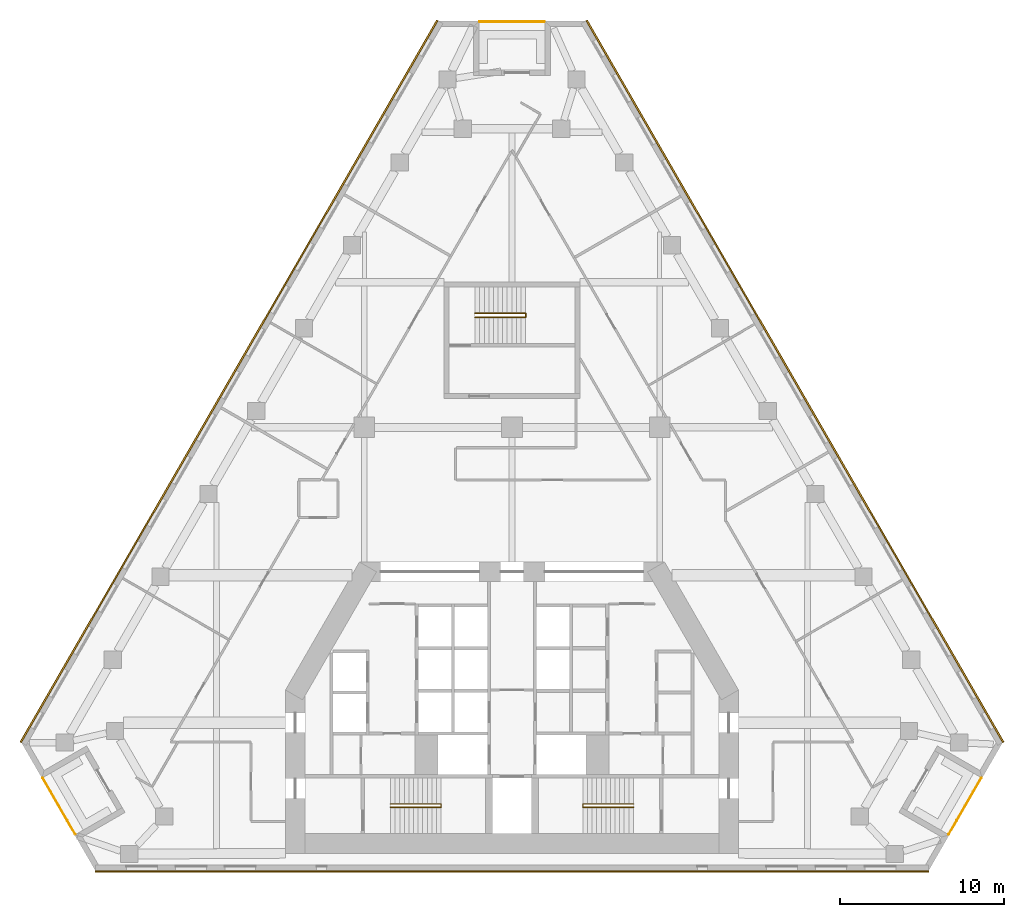
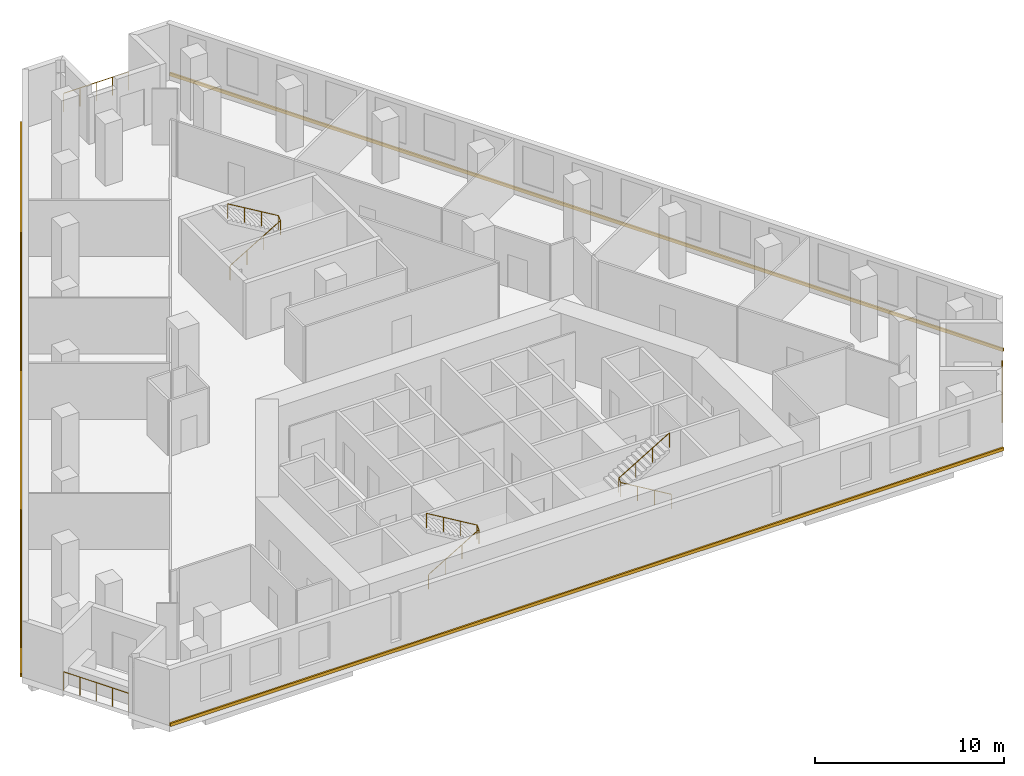
# One storey, part 10 of 10: 6 railings, 3 coverings.
"""IFC4 building model written with IfcOpenShell, lengths in metres."""

from ifc_helpers import new_model, si_unit, direction, frame, origin, origin_2d, place, context, subcontext, project, spatial, polyline, circle, outline, extrude, material, type_object, element, save


model = new_model("IFC4")

# Units and contexts
model_context = context("Model", 3, precision=1e-05, world=origin(), true_north=direction((0.0, 1.0)))
body_context = subcontext(model_context, "Body", "Model", "MODEL_VIEW")
ifc_project = project(units=[si_unit("LENGTHUNIT", "METRE"), si_unit("AREAUNIT", "SQUARE_METRE"), si_unit("VOLUMEUNIT", "CUBIC_METRE"), si_unit("PLANEANGLEUNIT", "RADIAN"), si_unit("MASSUNIT", "GRAM", prefix="KILO")], contexts=[model_context])

# Site, building, storey
site_placement = place(None, origin())
site = spatial("IfcSite", under=ifc_project, at=site_placement, CompositionType="ELEMENT")
building_placement = place(site_placement, origin())
building = spatial("IfcBuilding", under=site, at=building_placement, Name="Fogline Exchange Tower", CompositionType="ELEMENT")
storey_placement = place(building_placement, frame((0.0, 0.0, 124.10009765625)))
storey = spatial("IfcBuildingStorey", under=building, at=storey_placement, Name="L27", CompositionType="ELEMENT", Elevation=124.10009765625)

# Railings
ifc_material_1 = material(Name="Stainless steel 304", Category="steel")
railing_type_1 = type_object("IfcRailingType", Name="G1", PredefinedType="GUARDRAIL", material=ifc_material_1)
railing_1_placement = place(storey_placement, frame((-28.589599609375, 5.635986328125, 0.0)))
element("IfcRailing", 1, at=railing_1_placement, inside=storey, type_object=railing_type_1, Name="Balcony guard L27 SW", PredefinedType="GUARDRAIL", context=body_context, shape_type="SweptSolid", body=[
    extrude(circle(Radius=0.02392578125, at=origin_2d()), frame((0.0, 0.0, 1.17578125), z_axis=(0.500000102728, -0.866025344474, 0.0), x_axis=(0.866025344474, 0.500000102728, 0.0)), (0.0, 0.0, 1.0), 3.9580078125),
    extrude(circle(Radius=0.02099609375, at=origin_2d()), origin(), (0.0, 0.0, 1.0), 1.15185546875),
    extrude(circle(Radius=0.02099609375, at=origin_2d()), frame((0.49462890625, -0.85693359375, 0.0)), (0.0, 0.0, 1.0), 1.15185546875),
    extrude(circle(Radius=0.02099609375, at=origin_2d()), frame((0.989501953125, -1.7138671875, 0.0)), (0.0, 0.0, 1.0), 1.15185546875),
    extrude(circle(Radius=0.02099609375, at=origin_2d()), frame((1.484375, -2.57080078125, 0.0)), (0.0, 0.0, 1.0), 1.15185546875),
    extrude(circle(Radius=0.02099609375, at=origin_2d()), frame((1.97900390625, -3.427734375, 0.0)), (0.0, 0.0, 1.0), 1.15185546875),
])
railing_2_placement = place(storey_placement, frame((26.610595703125, 2.208251953125, 0.0)))
element("IfcRailing", 2, at=railing_2_placement, inside=storey, type_object=railing_type_1, Name="Balcony guard L27 SE", PredefinedType="GUARDRAIL", context=body_context, shape_type="SweptSolid", body=[
    extrude(circle(Radius=0.02392578125, at=origin_2d()), frame((0.0, 0.0, 1.17578125), z_axis=(0.500000102728, 0.866025344474, 0.0), x_axis=(-0.866025344474, 0.500000102728, 0.0)), (0.0, 0.0, 1.0), 3.9580078125),
    extrude(circle(Radius=0.02099609375, at=origin_2d()), origin(), (0.0, 0.0, 1.0), 1.15185546875),
    extrude(circle(Radius=0.02099609375, at=origin_2d()), frame((0.49462890625, 0.85693359375, 0.0)), (0.0, 0.0, 1.0), 1.15185546875),
    extrude(circle(Radius=0.02099609375, at=origin_2d()), frame((0.989501953125, 1.7138671875, 0.0)), (0.0, 0.0, 1.0), 1.15185546875),
    extrude(circle(Radius=0.02099609375, at=origin_2d()), frame((1.484375, 2.57080078125, 0.0)), (0.0, 0.0, 1.0), 1.15185546875),
    extrude(circle(Radius=0.02099609375, at=origin_2d()), frame((1.97900390625, 3.427734375, 0.0)), (0.0, 0.0, 1.0), 1.15185546875),
])
railing_3_placement = place(storey_placement, frame((1.97900390625, 51.726806640625, 0.0)))
element("IfcRailing", 3, at=railing_3_placement, inside=storey, type_object=railing_type_1, Name="Balcony guard L27 N", PredefinedType="GUARDRAIL", context=body_context, shape_type="SweptSolid", body=[
    extrude(circle(Radius=0.02392578125, at=origin_2d()), frame((0.0, 0.0, 1.17578125), z_axis=(-1.0, 0.0, 0.0), x_axis=(0.0, -1.0, 0.0)), (0.0, 0.0, 1.0), 3.9580078125),
    extrude(circle(Radius=0.02099609375, at=origin_2d()), origin(), (0.0, 0.0, 1.0), 1.15185546875),
    extrude(circle(Radius=0.02099609375, at=origin_2d()), frame((-0.989501953125, 0.0, 0.0)), (0.0, 0.0, 1.0), 1.15185546875),
    extrude(circle(Radius=0.02099609375, at=origin_2d()), frame((-1.97900390625, 0.0, 0.0)), (0.0, 0.0, 1.0), 1.15185546875),
    extrude(circle(Radius=0.02099609375, at=origin_2d()), frame((-2.968505859375, 0.0, 0.0)), (0.0, 0.0, 1.0), 1.15185546875),
    extrude(circle(Radius=0.02099609375, at=origin_2d()), frame((-3.9580078125, 0.0, 0.0)), (0.0, 0.0, 1.0), 1.15185546875),
])
ifc_material_2 = material(Name="Steel Q235B", Category="steel")
railing_type_2 = type_object("IfcRailingType", Name="RL-HR", PredefinedType="HANDRAIL", material=ifc_material_2)
railing_4_placement = place(storey_placement, frame((-7.39990234375, 3.85009765625, 0.16650390625)))
element("IfcRailing", 4, at=railing_4_placement, inside=storey, type_object=railing_type_2, Name="Handrail ST1", PredefinedType="HANDRAIL", context=body_context, shape_type="SweptSolid", body=[
    extrude(circle(Radius=0.02392578125, at=origin_2d()), frame((0.0, 0.0, 0.92578125), z_axis=(0.859260807169, 0.0, 0.511537745687), x_axis=(0.0, 1.0, 0.0)), (0.0, 0.0, 1.0), 3.584228515625),
    extrude(circle(Radius=0.02392578125, at=origin_2d()), frame((3.079833984375, 0.0, 2.75927734375), z_axis=(0.0, 0.768451954486, 0.639907488351), x_axis=(-1.0, 0.0, 0.0)), (0.0, 0.0, 1.0), 0.26025390625),
    extrude(circle(Radius=0.02392578125, at=origin_2d()), frame((3.079833984375, 0.199951171875, 2.92578125), z_axis=(-0.859260807169, 0.0, 0.511537745687), x_axis=(0.0, -1.0, 0.0)), (0.0, 0.0, 1.0), 3.584228515625),
    extrude(circle(Radius=0.02099609375, at=origin_2d()), origin(), (0.0, 0.0, 1.0), 0.90185546875),
    extrude(circle(Radius=0.02099609375, at=origin_2d()), frame((1.026611328125, 0.0, 0.611083984375)), (0.0, 0.0, 1.0), 0.90185546875),
    extrude(circle(Radius=0.02099609375, at=origin_2d()), frame((2.05322265625, 0.0, 1.222412109375)), (0.0, 0.0, 1.0), 0.90185546875),
    extrude(circle(Radius=0.02099609375, at=origin_2d()), frame((3.079833984375, 0.0, 1.83349609375)), (0.0, 0.0, 1.0), 0.90185546875),
    extrude(circle(Radius=0.02099609375, at=origin_2d()), frame((3.079833984375, 0.199951171875, 2.0)), (0.0, 0.0, 1.0), 0.90185546875),
    extrude(circle(Radius=0.02099609375, at=origin_2d()), frame((2.05322265625, 0.199951171875, 2.611083984375)), (0.0, 0.0, 1.0), 0.90185546875),
    extrude(circle(Radius=0.02099609375, at=origin_2d()), frame((1.026611328125, 0.199951171875, 3.222412109375)), (0.0, 0.0, 1.0), 0.90185546875),
    extrude(circle(Radius=0.02099609375, at=origin_2d()), frame((0.0, 0.199951171875, 3.83349609375)), (0.0, 0.0, 1.0), 0.90185546875),
])
railing_5_placement = place(storey_placement, frame((7.39990234375, 3.85009765625, 0.16650390625)))
element("IfcRailing", 5, at=railing_5_placement, inside=storey, type_object=railing_type_2, Name="Handrail ST2", PredefinedType="HANDRAIL", context=body_context, shape_type="SweptSolid", body=[
    extrude(circle(Radius=0.02392578125, at=origin_2d()), frame((0.0, 0.0, 0.92578125), z_axis=(-0.859260807169, 0.0, 0.511537745687), x_axis=(0.0, -1.0, 0.0)), (0.0, 0.0, 1.0), 3.584228515625),
    extrude(circle(Radius=0.02392578125, at=origin_2d()), frame((-3.079833984375, 0.0, 2.75927734375), z_axis=(0.0, 0.768451954486, 0.639907488351), x_axis=(-1.0, 0.0, 0.0)), (0.0, 0.0, 1.0), 0.26025390625),
    extrude(circle(Radius=0.02392578125, at=origin_2d()), frame((-3.079833984375, 0.199951171875, 2.92578125), z_axis=(0.859260807169, 0.0, 0.511537745687), x_axis=(0.0, 1.0, 0.0)), (0.0, 0.0, 1.0), 3.584228515625),
    extrude(circle(Radius=0.02099609375, at=origin_2d()), origin(), (0.0, 0.0, 1.0), 0.90185546875),
    extrude(circle(Radius=0.02099609375, at=origin_2d()), frame((-1.026611328125, 0.0, 0.611083984375)), (0.0, 0.0, 1.0), 0.90185546875),
    extrude(circle(Radius=0.02099609375, at=origin_2d()), frame((-2.05322265625, 0.0, 1.222412109375)), (0.0, 0.0, 1.0), 0.90185546875),
    extrude(circle(Radius=0.02099609375, at=origin_2d()), frame((-3.079833984375, 0.0, 1.83349609375)), (0.0, 0.0, 1.0), 0.90185546875),
    extrude(circle(Radius=0.02099609375, at=origin_2d()), frame((-3.079833984375, 0.199951171875, 2.0)), (0.0, 0.0, 1.0), 0.90185546875),
    extrude(circle(Radius=0.02099609375, at=origin_2d()), frame((-2.05322265625, 0.199951171875, 2.611083984375)), (0.0, 0.0, 1.0), 0.90185546875),
    extrude(circle(Radius=0.02099609375, at=origin_2d()), frame((-1.026611328125, 0.199951171875, 3.222412109375)), (0.0, 0.0, 1.0), 0.90185546875),
    extrude(circle(Radius=0.02099609375, at=origin_2d()), frame((0.0, 0.199951171875, 3.83349609375)), (0.0, 0.0, 1.0), 0.90185546875),
])
railing_6_placement = place(storey_placement, frame((-2.25, 33.70703125, 0.16650390625)))
element("IfcRailing", 6, at=railing_6_placement, inside=storey, type_object=railing_type_2, Name="Handrail ST3", PredefinedType="HANDRAIL", context=body_context, shape_type="SweptSolid", body=[
    extrude(circle(Radius=0.02392578125, at=origin_2d()), frame((0.0, 0.0, 0.92578125), z_axis=(0.85927862911, 0.0, 0.511507807912), x_axis=(0.0, 1.0, 0.0)), (0.0, 0.0, 1.0), 3.58447265625),
    extrude(circle(Radius=0.02392578125, at=origin_2d()), frame((3.080078125, 0.0, 2.75927734375), z_axis=(0.0, 0.832300300006, 0.554325004496), x_axis=(-1.0, 0.0, 0.0)), (0.0, 0.0, 1.0), 0.30029296875),
    extrude(circle(Radius=0.02392578125, at=origin_2d()), frame((3.080078125, 0.25, 2.92578125), z_axis=(-0.85927862911, 0.0, 0.511507807912), x_axis=(0.0, -1.0, 0.0)), (0.0, 0.0, 1.0), 3.58447265625),
    extrude(circle(Radius=0.02099609375, at=origin_2d()), origin(), (0.0, 0.0, 1.0), 0.90185546875),
    extrude(circle(Radius=0.02099609375, at=origin_2d()), frame((1.026611328125, 0.0, 0.611083984375)), (0.0, 0.0, 1.0), 0.90185546875),
    extrude(circle(Radius=0.02099609375, at=origin_2d()), frame((2.053466796875, 0.0, 1.222412109375)), (0.0, 0.0, 1.0), 0.90185546875),
    extrude(circle(Radius=0.02099609375, at=origin_2d()), frame((3.080078125, 0.0, 1.83349609375)), (0.0, 0.0, 1.0), 0.90185546875),
    extrude(circle(Radius=0.02099609375, at=origin_2d()), frame((3.080078125, 0.25, 2.0)), (0.0, 0.0, 1.0), 0.90185546875),
    extrude(circle(Radius=0.02099609375, at=origin_2d()), frame((2.053466796875, 0.25, 2.611083984375)), (0.0, 0.0, 1.0), 0.90185546875),
    extrude(circle(Radius=0.02099609375, at=origin_2d()), frame((1.026611328125, 0.25, 3.222412109375)), (0.0, 0.0, 1.0), 0.90185546875),
    extrude(circle(Radius=0.02099609375, at=origin_2d()), frame((0.0, 0.25, 3.83349609375)), (0.0, 0.0, 1.0), 0.90185546875),
])

# Coverings
ifc_material_3 = material(Name="Brick masonry", Category="masonry")
covering_type = type_object("IfcCoveringType", Name="SB1", PredefinedType="CLADDING", material=ifc_material_3)
covering_1_placement = place(storey_placement, origin())
element("IfcCovering", 7, at=covering_1_placement, inside=storey, type_object=covering_type, Name="Stringcourse band L27 S", PredefinedType="CLADDING", context=body_context, shape_type="SweptSolid", body=[
    extrude(outline(polyline([(-25.393310546875, 0.0), (-25.393310546875, -0.10009765625), (25.393310546875, -0.10009765625), (25.393310546875, 0.0), (-25.393310546875, 0.0)])), origin(), (0.0, 0.0, 1.0), 0.199951171875),
])
covering_2_placement = place(storey_placement, origin())
element("IfcCovering", 8, at=covering_2_placement, inside=storey, type_object=covering_type, Name="Stringcourse band L27 E", PredefinedType="CLADDING", context=body_context, shape_type="SweptSolid", body=[
    extrude(outline(polyline([(29.893310546875, 7.794189453125), (29.97998046875, 7.84423828125), (4.586669921875, 51.82666015625), (4.5, 51.776611328125), (29.893310546875, 7.794189453125)])), origin(), (0.0, 0.0, 1.0), 0.199951171875),
])
covering_3_placement = place(storey_placement, origin())
element("IfcCovering", 9, at=covering_3_placement, inside=storey, type_object=covering_type, Name="Stringcourse band L27 W", PredefinedType="CLADDING", context=body_context, shape_type="SweptSolid", body=[
    extrude(outline(polyline([(-4.5, 51.776611328125), (-4.586669921875, 51.82666015625), (-29.97998046875, 7.84423828125), (-29.893310546875, 7.794189453125), (-4.5, 51.776611328125)])), origin(), (0.0, 0.0, 1.0), 0.199951171875),
])

save(model, "model.ifc")
